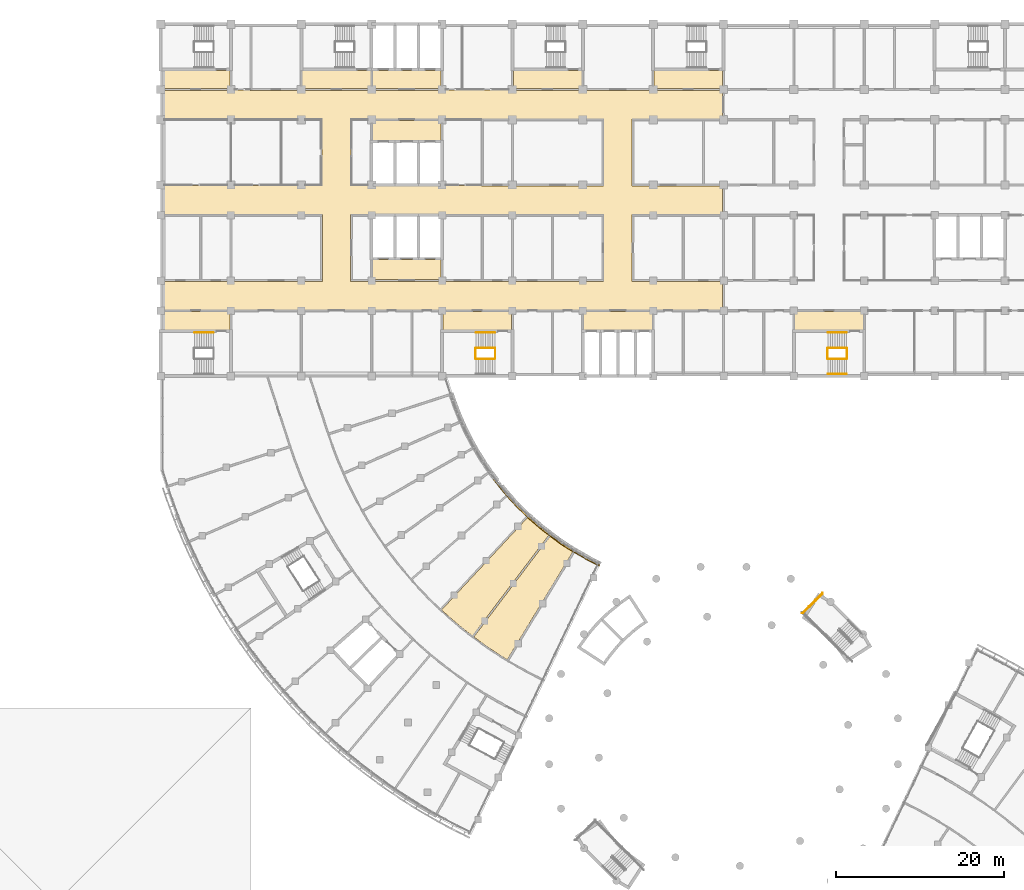
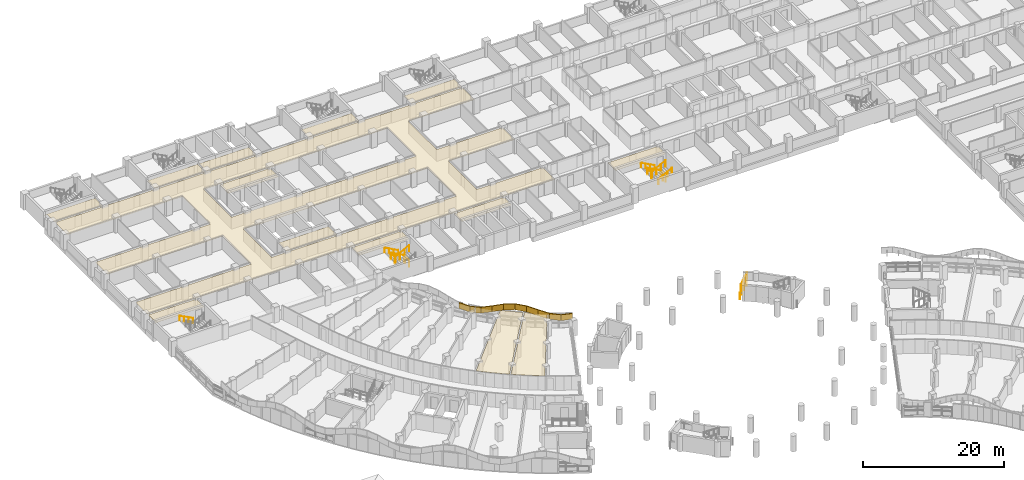
# One storey, part 84 of 89: 24 coverings, 14 railings.
"""IFC4 building model written with IfcOpenShell, lengths in metres."""

from ifc_helpers import new_model, si_unit, direction, frame, origin, origin_2d, place, context, subcontext, project, spatial, polyline, circle, outline, extrude, material, layer, layer_set, type_object, element, save


model = new_model("IFC4")

# Units and contexts
model_context = context("Model", 3, precision=1e-05, world=origin(), true_north=direction((0.0, 1.0)))
body_context = subcontext(model_context, "Body", "Model", "MODEL_VIEW")
ifc_project = project(units=[si_unit("LENGTHUNIT", "METRE"), si_unit("AREAUNIT", "SQUARE_METRE"), si_unit("VOLUMEUNIT", "CUBIC_METRE"), si_unit("PLANEANGLEUNIT", "RADIAN"), si_unit("MASSUNIT", "GRAM", prefix="KILO")], contexts=[model_context])

# Site, building, storey
site_placement = place(None, origin())
site = spatial("IfcSite", under=ifc_project, at=site_placement, CompositionType="ELEMENT")
building_placement = place(site_placement, origin())
building = spatial("IfcBuilding", under=site, at=building_placement, Name="Bougainvillea Quay General Hospital", CompositionType="ELEMENT")
storey_placement = place(building_placement, frame((0.0, 0.0, 9.89990234375)))
storey = spatial("IfcBuildingStorey", under=building, at=storey_placement, Name="L01M", CompositionType="ELEMENT", Elevation=9.89990234375)

# Coverings
ifc_material_1 = material(Name="Powder-coated aluminium fascia, green", Category="aluminium")
ifc_layer_1 = layer(ifc_material_1, 0.14990234375)
ifc_layer_set_1 = layer_set([ifc_layer_1], Name="Powder-coated aluminium fascia, green")
covering_type_1 = type_object("IfcCoveringType", Name="Aluminium wave fascia ribbon green 150x1000", PredefinedType="CLADDING", material=ifc_layer_set_1)
covering_1_placement = place(storey_placement, frame((94.427490234375, 95.04443359375, 1.5947265625), z_axis=(-0.104502360343, 0.053594362875, 0.993079503842), x_axis=(-0.88593533011, 0.448693483147, -0.117442535076)))
element("IfcCovering", 1, at=covering_1_placement, inside=storey, type_object=covering_type_1, Name="Fascia ribbon green a03 1", PredefinedType="CLADDING", context=body_context, shape_type="SweptSolid", body=[
    extrude(outline(polyline([(0.0, 0.0), (1.6416026862371067, -1.4695005195325406e-16), (1.645092801931551, 0.14981912538346862), (9.911938623631544e-05, 0.15001994119870982), (0.0, 0.0)])), origin(), (-0.117442535076, 0.000591611506, 0.993079503842), 1.0),
])
covering_2_placement = place(storey_placement, frame((92.97314453125, 95.781005859375, 1.402099609375), z_axis=(0.139641589892, -0.08015894732, 0.986952263049), x_axis=(-0.858116648831, 0.487556232841, 0.161011604603)))
element("IfcCovering", 2, at=covering_2_placement, inside=storey, type_object=covering_type_1, Name="Fascia ribbon green a03 2", PredefinedType="CLADDING", context=body_context, shape_type="SweptSolid", body=[
    extrude(outline(polyline([(0.0, 0.0), (1.65895963724899, 1.1785277614917433e-16), (1.662510601490443, 0.14997815966417433), (-0.003759064604347351, 0.14981422844783943), (0.0, 0.0)])), origin(), (0.161011604603, -0.000702599732, 0.986952263049), 1.0),
])
covering_3_placement = place(storey_placement, frame((91.549560546875, 96.58984375, 1.669921875), z_axis=(0.279700228176, -0.176865303091, 0.943655894339), x_axis=(-0.797248200477, 0.504858193092, 0.33092825764)))
element("IfcCovering", 3, at=covering_3_placement, inside=storey, type_object=covering_type_1, Name="Fascia ribbon green a03 3", PredefinedType="CLADDING", context=body_context, shape_type="SweptSolid", body=[
    extrude(outline(polyline([(0.0, 0.0), (1.7351032135458975, 9.009720053354542e-17), (1.7387723743826684, 0.1501463100564307), (-0.0038536322503129046, 0.14997486049893796), (0.0, 0.0)])), origin(), (0.33092825764, 0.000203407188, 0.943655894339), 1.0),
])
covering_4_placement = place(storey_placement, frame((90.166259765625, 97.4658203125, 2.245361328125), z_axis=(0.259839779475, -0.182352767703, 0.948277784783), x_axis=(-0.776147968626, 0.5448165645, 0.31744171409)))
element("IfcCovering", 4, at=covering_4_placement, inside=storey, type_object=covering_type_1, Name="Fascia ribbon green a03 4", PredefinedType="CLADDING", context=body_context, shape_type="SweptSolid", body=[
    extrude(outline(polyline([(0.0, 0.0), (1.7265896169281725, -1.2332799712022613e-16), (1.7304328381820913, 0.14991073223789447), (-0.003873738352750754, 0.1501411733915825), (0.0, 0.0)])), origin(), (0.31744171409, 3.2285748e-05, 0.948277784783), 1.0),
])
covering_5_placement = place(storey_placement, frame((88.826171875, 98.406494140625, 2.79443359375), z_axis=(0.097915956177, -0.076111990678, 0.992279915347), x_axis=(-0.783951037774, 0.608309306007, 0.12401838008)))
element("IfcCovering", 5, at=covering_5_placement, inside=storey, type_object=covering_type_1, Name="Fascia ribbon green a03 5", PredefinedType="CLADDING", context=body_context, shape_type="SweptSolid", body=[
    extrude(outline(polyline([(0.0, 0.0), (1.6499168841872014, -1.6519514163711169e-16), (1.6537376265687938, 0.15003351581608096), (-0.0035670666845775585, 0.14991337972866658), (0.0, 0.0)])), origin(), (0.12401838008, -0.00010488673, 0.992279915347), 1.0),
])
covering_6_placement = place(storey_placement, frame((87.53271484375, 99.41015625, 2.9990234375), z_axis=(-0.118628448003, 0.100424285516, 0.987847282834), x_axis=(-0.750673965561, 0.642130418383, -0.15542561956)))
element("IfcCovering", 6, at=covering_6_placement, inside=storey, type_object=covering_type_1, Name="Fascia ribbon green a03 6", PredefinedType="CLADDING", context=body_context, shape_type="SweptSolid", body=[
    extrude(outline(polyline([(0.0, 0.0), (1.657677699036154, 2.054563116860031e-17), (1.6611315249930405, 0.15003683184567615), (-0.003406435006366118, 0.15004347688130018), (0.0, 0.0)])), origin(), (-0.15542561956, -0.000789038302, 0.987847282834), 1.0),
])
covering_7_placement = place(storey_placement, frame((86.288330078125, 100.474609375, 2.740478515625), z_axis=(-0.239667918459, 0.22547529312, 0.944309367238), x_axis=(-0.687493100197, 0.647358816576, -0.329058960952)))
element("IfcCovering", 7, at=covering_7_placement, inside=storey, type_object=covering_type_1, Name="Fascia ribbon green a03 7", PredefinedType="CLADDING", context=body_context, shape_type="SweptSolid", body=[
    extrude(outline(polyline([(0.0, 0.0), (1.7337061979264043, 1.263773157303416e-16), (1.73755056102353, 0.14997667443102208), (-0.003970571708038053, 0.15002722892880735), (0.0, 0.0)])), origin(), (-0.329058960952, -0.00013843178, 0.944309367238), 1.0),
])
covering_8_placement = place(storey_placement, frame((85.096435546875, 101.596923828125, 2.168701171875), z_axis=(-0.222082696802, 0.230153697506, 0.94747482885), x_axis=(-0.657994844878, 0.681726731937, -0.319830341081)))
element("IfcCovering", 8, at=covering_8_placement, inside=storey, type_object=covering_type_1, Name="Fascia ribbon green a03 8", PredefinedType="CLADDING", context=body_context, shape_type="SweptSolid", body=[
    extrude(outline(polyline([(0.0, 0.0), (1.7282834687448214, 2.564138137928218e-17), (1.7320467746785793, 0.14993243745686766), (-0.003725576312105103, 0.1499796860800953), (0.0, 0.0)])), origin(), (-0.319830341081, 4.0235378e-05, 0.94747482885), 1.0),
])
covering_9_placement = place(storey_placement, frame((83.959228515625, 102.775146484375, 1.615234375), z_axis=(-0.085728802185, 0.09768849928, 0.991517790856), x_axis=(-0.653776896543, 0.745441681608, -0.12997103088)))
element("IfcCovering", 9, at=covering_9_placement, inside=storey, type_object=covering_type_1, Name="Fascia ribbon green a03 9", PredefinedType="CLADDING", context=body_context, shape_type="SweptSolid", body=[
    extrude(outline(polyline([(0.0, 0.0), (1.6513093094053481, -1.8167162652710234e-17), (1.6548456467540036, 0.14987752615922023), (-0.003627081145781563, 0.1499316208352482), (0.0, 0.0)])), origin(), (-0.12997103088, -3.9338576e-05, 0.991517790856), 1.0),
])
covering_10_placement = place(storey_placement, frame((82.879638671875, 104.006103515625, 1.400634765625), z_axis=(0.093271582619, -0.117168615552, 0.988722371248), x_axis=(-0.615706133298, 0.77361352434, 0.149760049338)))
element("IfcCovering", 10, at=covering_10_placement, inside=storey, type_object=covering_type_1, Name="Fascia ribbon green a03 10", PredefinedType="CLADDING", context=body_context, shape_type="SweptSolid", body=[
    extrude(outline(polyline([(0.0, 0.0), (1.65588261352319, -9.053088140253962e-18), (1.6595410382996767, 0.15000656172419505), (-0.003687905250327273, 0.14987386197364008), (0.0, 0.0)])), origin(), (0.149760049338, 1.4722526e-05, 0.988722371248), 1.0),
])

# Railings
ifc_material_2 = material(Name="Stainless steel 304 balustrade", Category="steel")
railing_type_1 = type_object("IfcRailingType", Name="Stair guard 1100", PredefinedType="GUARDRAIL", material=ifc_material_2)
railing_1_placement = place(storey_placement, frame((81.89990234375, 120.949951171875, 0.150146484375)))
element("IfcRailing", 11, at=railing_1_placement, inside=storey, type_object=railing_type_1, Name="L01M ST-B2 stair guard 1", PredefinedType="GUARDRAIL", context=body_context, shape_type="SweptSolid", body=[
    extrude(circle(Radius=0.02392578125, at=origin_2d()), frame((0.0, 0.0, 1.076171875), z_axis=(-0.881487111273, 0.0, 0.472208081951), x_axis=(0.0, -1.0, 0.0)), (0.0, 0.0, 1.0), 2.541259765625),
    extrude(circle(Radius=0.02099609375, at=origin_2d()), origin(), (0.0, 0.0, 1.0), 1.052001953125),
    extrude(circle(Radius=0.02099609375, at=origin_2d()), frame((-0.74658203125, 0.0, 0.39990234375)), (0.0, 0.0, 1.0), 1.052001953125),
    extrude(circle(Radius=0.02099609375, at=origin_2d()), frame((-1.493408203125, 0.0, 0.800048828125)), (0.0, 0.0, 1.0), 1.052001953125),
    extrude(circle(Radius=0.02099609375, at=origin_2d()), frame((-2.239990234375, 0.0, 1.199951171875)), (0.0, 0.0, 1.0), 1.052001953125),
])
railing_2_placement = place(storey_placement, frame((79.610107421875, 120.89990234375, 1.35009765625)))
element("IfcRailing", 12, at=railing_2_placement, inside=storey, type_object=railing_type_1, Name="L01M ST-B2 stair guard 2", PredefinedType="GUARDRAIL", context=body_context, shape_type="SweptSolid", body=[
    extrude(circle(Radius=0.02392578125, at=origin_2d()), frame((0.0, 0.0, 1.076171875), z_axis=(0.0, -1.0, 0.0), x_axis=(1.0, 0.0, 0.0)), (0.0, 0.0, 1.0), 1.199951171875),
    extrude(circle(Radius=0.02099609375, at=origin_2d()), origin(), (0.0, 0.0, 1.0), 1.052001953125),
    extrude(circle(Radius=0.02099609375, at=origin_2d()), frame((0.0, -1.199951171875, 0.0)), (0.0, 0.0, 1.0), 1.052001953125),
])
railing_3_placement = place(storey_placement, frame((79.659912109375, 119.64990234375, 1.5)))
element("IfcRailing", 13, at=railing_3_placement, inside=storey, type_object=railing_type_1, Name="L01M ST-B2 stair guard 3", PredefinedType="GUARDRAIL", context=body_context, shape_type="SweptSolid", body=[
    extrude(circle(Radius=0.02392578125, at=origin_2d()), frame((0.0, 0.0, 1.076171875), z_axis=(0.881447119201, 0.0, 0.472282728937), x_axis=(0.0, 1.0, 0.0)), (0.0, 0.0, 1.0), 2.541259765625),
    extrude(circle(Radius=0.02099609375, at=origin_2d()), origin(), (0.0, 0.0, 1.0), 1.052001953125),
    extrude(circle(Radius=0.02099609375, at=origin_2d()), frame((0.74658203125, 0.0, 0.400146484375)), (0.0, 0.0, 1.0), 1.052001953125),
    extrude(circle(Radius=0.02099609375, at=origin_2d()), frame((1.493408203125, 0.0, 0.800048828125)), (0.0, 0.0, 1.0), 1.052001953125),
    extrude(circle(Radius=0.02099609375, at=origin_2d()), frame((2.239990234375, 0.0, 1.2001953125)), (0.0, 0.0, 1.0), 1.052001953125),
])
railing_4_placement = place(storey_placement, frame((81.949951171875, 120.89990234375, 0.0)))
element("IfcRailing", 14, at=railing_4_placement, inside=storey, type_object=railing_type_1, Name="L01M ST-B2 stair guard 4", PredefinedType="GUARDRAIL", context=body_context, shape_type="SweptSolid", body=[
    extrude(circle(Radius=0.02392578125, at=origin_2d()), frame((0.0, 0.0, 1.076171875), z_axis=(0.0, -1.0, 0.0), x_axis=(1.0, 0.0, 0.0)), (0.0, 0.0, 1.0), 1.199951171875),
    extrude(circle(Radius=0.02099609375, at=origin_2d()), origin(), (0.0, 0.0, 1.0), 1.052001953125),
    extrude(circle(Radius=0.02099609375, at=origin_2d()), frame((0.0, -1.199951171875, 0.0)), (0.0, 0.0, 1.0), 1.052001953125),
])
railing_5_placement = place(storey_placement, frame((123.89990234375, 120.949951171875, 0.150146484375)))
element("IfcRailing", 15, at=railing_5_placement, inside=storey, type_object=railing_type_1, Name="L01M ST-B3 stair guard 1", PredefinedType="GUARDRAIL", context=body_context, shape_type="SweptSolid", body=[
    extrude(circle(Radius=0.02392578125, at=origin_2d()), frame((0.0, 0.0, 1.076171875), z_axis=(-0.881487111273, 0.0, 0.472208081951), x_axis=(0.0, -1.0, 0.0)), (0.0, 0.0, 1.0), 2.541259765625),
    extrude(circle(Radius=0.02099609375, at=origin_2d()), origin(), (0.0, 0.0, 1.0), 1.052001953125),
    extrude(circle(Radius=0.02099609375, at=origin_2d()), frame((-0.74658203125, 0.0, 0.39990234375)), (0.0, 0.0, 1.0), 1.052001953125),
    extrude(circle(Radius=0.02099609375, at=origin_2d()), frame((-1.493408203125, 0.0, 0.800048828125)), (0.0, 0.0, 1.0), 1.052001953125),
    extrude(circle(Radius=0.02099609375, at=origin_2d()), frame((-2.239990234375, 0.0, 1.199951171875)), (0.0, 0.0, 1.0), 1.052001953125),
])
railing_6_placement = place(storey_placement, frame((121.610107421875, 120.89990234375, 1.35009765625)))
element("IfcRailing", 16, at=railing_6_placement, inside=storey, type_object=railing_type_1, Name="L01M ST-B3 stair guard 2", PredefinedType="GUARDRAIL", context=body_context, shape_type="SweptSolid", body=[
    extrude(circle(Radius=0.02392578125, at=origin_2d()), frame((0.0, 0.0, 1.076171875), z_axis=(0.0, -1.0, 0.0), x_axis=(1.0, 0.0, 0.0)), (0.0, 0.0, 1.0), 1.199951171875),
    extrude(circle(Radius=0.02099609375, at=origin_2d()), origin(), (0.0, 0.0, 1.0), 1.052001953125),
    extrude(circle(Radius=0.02099609375, at=origin_2d()), frame((0.0, -1.199951171875, 0.0)), (0.0, 0.0, 1.0), 1.052001953125),
])
railing_7_placement = place(storey_placement, frame((121.659912109375, 119.64990234375, 1.5)))
element("IfcRailing", 17, at=railing_7_placement, inside=storey, type_object=railing_type_1, Name="L01M ST-B3 stair guard 3", PredefinedType="GUARDRAIL", context=body_context, shape_type="SweptSolid", body=[
    extrude(circle(Radius=0.02392578125, at=origin_2d()), frame((0.0, 0.0, 1.076171875), z_axis=(0.881447119201, 0.0, 0.472282728937), x_axis=(0.0, 1.0, 0.0)), (0.0, 0.0, 1.0), 2.541259765625),
    extrude(circle(Radius=0.02099609375, at=origin_2d()), origin(), (0.0, 0.0, 1.0), 1.052001953125),
    extrude(circle(Radius=0.02099609375, at=origin_2d()), frame((0.74658203125, 0.0, 0.400146484375)), (0.0, 0.0, 1.0), 1.052001953125),
    extrude(circle(Radius=0.02099609375, at=origin_2d()), frame((1.493408203125, 0.0, 0.800048828125)), (0.0, 0.0, 1.0), 1.052001953125),
    extrude(circle(Radius=0.02099609375, at=origin_2d()), frame((2.239990234375, 0.0, 1.2001953125)), (0.0, 0.0, 1.0), 1.052001953125),
])
railing_8_placement = place(storey_placement, frame((123.949951171875, 120.89990234375, 0.0)))
element("IfcRailing", 18, at=railing_8_placement, inside=storey, type_object=railing_type_1, Name="L01M ST-B3 stair guard 4", PredefinedType="GUARDRAIL", context=body_context, shape_type="SweptSolid", body=[
    extrude(circle(Radius=0.02392578125, at=origin_2d()), frame((0.0, 0.0, 1.076171875), z_axis=(0.0, -1.0, 0.0), x_axis=(1.0, 0.0, 0.0)), (0.0, 0.0, 1.0), 1.199951171875),
    extrude(circle(Radius=0.02099609375, at=origin_2d()), origin(), (0.0, 0.0, 1.0), 1.052001953125),
    extrude(circle(Radius=0.02099609375, at=origin_2d()), frame((0.0, -1.199951171875, 0.0)), (0.0, 0.0, 1.0), 1.052001953125),
])
railing_9_placement = place(storey_placement, frame((121.00048828125, 91.5693359375, 1.35009765625)))
element("IfcRailing", 19, at=railing_9_placement, inside=storey, type_object=railing_type_1, Name="L01M ST-H1 stair guard 4", PredefinedType="GUARDRAIL", context=body_context, shape_type="SweptSolid", body=[
    extrude(circle(Radius=0.02392578125, at=origin_2d()), frame((0.0, 0.0, 1.076171875), z_axis=(-0.707068940672, -0.707144619676, 0.0), x_axis=(0.707144619676, -0.707068940672, 0.0)), (0.0, 0.0, 1.0), 3.22607421875),
    extrude(circle(Radius=0.02099609375, at=origin_2d()), origin(), (0.0, 0.0, 1.0), 1.052001953125),
    extrude(circle(Radius=0.02099609375, at=origin_2d()), frame((-0.76025390625, -0.760498046875, 0.0)), (0.0, 0.0, 1.0), 1.052001953125),
    extrude(circle(Radius=0.02099609375, at=origin_2d()), frame((-1.520751953125, -1.520751953125, 0.0)), (0.0, 0.0, 1.0), 1.052001953125),
    extrude(circle(Radius=0.02099609375, at=origin_2d()), frame((-2.281005859375, -2.28125, 0.0)), (0.0, 0.0, 1.0), 1.052001953125),
])
railing_10_placement = place(storey_placement, frame((121.00048828125, 91.710693359375, 0.0)))
element("IfcRailing", 20, at=railing_10_placement, inside=storey, type_object=railing_type_1, Name="L01M ST-H1 stair guard 9", PredefinedType="GUARDRAIL", context=body_context, shape_type="SweptSolid", body=[
    extrude(circle(Radius=0.02392578125, at=origin_2d()), frame((0.0, 0.0, 1.076171875), z_axis=(-0.707071148806, -0.707142411772, 0.0), x_axis=(0.707142411772, -0.707071148806, 0.0)), (0.0, 0.0, 1.0), 3.426025390625),
    extrude(circle(Radius=0.02099609375, at=origin_2d()), origin(), (0.0, 0.0, 1.0), 1.052001953125),
    extrude(circle(Radius=0.02099609375, at=origin_2d()), frame((-0.807373046875, -0.8076171875, 0.0)), (0.0, 0.0, 1.0), 1.052001953125),
    extrude(circle(Radius=0.02099609375, at=origin_2d()), frame((-1.614990234375, -1.614990234375, 0.0)), (0.0, 0.0, 1.0), 1.052001953125),
    extrude(circle(Radius=0.02099609375, at=origin_2d()), frame((-2.42236328125, -2.422607421875, 0.0)), (0.0, 0.0, 1.0), 1.052001953125),
])
ifc_material_3 = material(Name="Stainless steel 304 handrail", Category="steel")
railing_type_2 = type_object("IfcRailingType", Name="Stair handrail 900", PredefinedType="HANDRAIL", material=ifc_material_3)
for number, where, name in (
    (21, (48.300048828125, 122.77490234375, 0.150146484375), "L01M ST-B1 stair handrail 1"),
    (22, (81.89990234375, 122.77490234375, 0.150146484375), "L01M ST-B2 stair handrail 1"),
    (23, (123.89990234375, 122.77490234375, 0.150146484375), "L01M ST-B3 stair handrail 1"),
):
    element("IfcRailing", number, at=place(storey_placement, frame(where)), inside=storey, type_object=railing_type_2, Name=name, PredefinedType="HANDRAIL", context=body_context, shape_type="SweptSolid", body=[
        extrude(circle(Radius=0.02392578125, at=origin_2d()), frame((0.0, 0.0, 0.8759765625), z_axis=(-0.881487111273, 0.0, 0.472208081951), x_axis=(0.0, -1.0, 0.0)), (0.0, 0.0, 1.0), 2.541259765625),
        extrude(circle(Radius=0.02099609375, at=origin_2d()), origin(), (0.0, 0.0, 1.0), 0.851806640625),
        extrude(circle(Radius=0.02099609375, at=origin_2d()), frame((-0.74658203125, 0.0, 0.39990234375)), (0.0, 0.0, 1.0), 0.851806640625),
        extrude(circle(Radius=0.02099609375, at=origin_2d()), frame((-1.493408203125, 0.0, 0.800048828125)), (0.0, 0.0, 1.0), 0.851806640625),
        extrude(circle(Radius=0.02099609375, at=origin_2d()), frame((-2.239990234375, 0.0, 1.199951171875)), (0.0, 0.0, 1.0), 0.851806640625),
    ])
railing_11_placement = place(storey_placement, frame((121.659912109375, 117.824951171875, 1.5)))
element("IfcRailing", 24, at=railing_11_placement, inside=storey, type_object=railing_type_2, Name="L01M ST-B3 stair handrail 2", PredefinedType="HANDRAIL", context=body_context, shape_type="SweptSolid", body=[
    extrude(circle(Radius=0.02392578125, at=origin_2d()), frame((0.0, 0.0, 0.8759765625), z_axis=(0.881447119201, 0.0, 0.472282728937), x_axis=(0.0, 1.0, 0.0)), (0.0, 0.0, 1.0), 2.541259765625),
    extrude(circle(Radius=0.02099609375, at=origin_2d()), origin(), (0.0, 0.0, 1.0), 0.851806640625),
    extrude(circle(Radius=0.02099609375, at=origin_2d()), frame((0.74658203125, 0.0, 0.400146484375)), (0.0, 0.0, 1.0), 0.851806640625),
    extrude(circle(Radius=0.02099609375, at=origin_2d()), frame((1.493408203125, 0.0, 0.800048828125)), (0.0, 0.0, 1.0), 0.851806640625),
    extrude(circle(Radius=0.02099609375, at=origin_2d()), frame((2.239990234375, 0.0, 1.2001953125)), (0.0, 0.0, 1.0), 0.851806640625),
])

# Coverings
ifc_material_4 = material(Name="Mineral fibre ceiling tile")
ifc_layer_2 = layer(ifc_material_4, 0.030029296875)
ifc_layer_set_2 = layer_set([ifc_layer_2], Name="Mineral fibre ceiling tile")
covering_type_2 = type_object("IfcCoveringType", Name="Suspended ceiling mineral fibre tile", PredefinedType="CEILING", material=ifc_layer_set_2)
covering_11_placement = place(storey_placement, frame((0.0, 0.0, 2.050048828125)))
element("IfcCovering", 25, at=covering_11_placement, inside=storey, type_object=covering_type_2, Name="Ceiling Corridor V4-5", PredefinedType="CEILING", context=body_context, shape_type="SweptSolid", body=[
    extrude(outline(polyline([(42.449951171875, 128.89990234375), (42.449951171875, 125.5), (109.10009765625, 125.5), (109.10009765625, 128.89990234375), (98.300048828125, 128.89990234375), (98.300048828125, 136.89990234375), (109.10009765625, 136.89990234375), (109.10009765625, 140.300048828125), (98.300048828125, 140.300048828125), (98.300048828125, 148.300048828125), (109.10009765625, 148.300048828125), (109.10009765625, 151.699951171875), (83.89990234375, 151.699951171875), (83.89990234375, 151.75), (75.699951171875, 151.75), (75.699951171875, 151.699951171875), (52.697998046875, 151.699951171875), (52.697998046875, 151.75), (50.5, 151.75), (50.5, 151.699951171875), (42.449951171875, 151.699951171875), (42.449951171875, 148.25), (61.25, 148.25), (61.25, 140.35009765625), (42.449951171875, 140.35009765625), (42.449951171875, 136.89990234375), (61.300048828125, 136.89990234375), (61.300048828125, 128.89990234375), (42.449951171875, 128.89990234375)]), holes=[polyline([(64.699951171875, 128.89990234375), (94.89990234375, 128.89990234375), (94.89990234375, 136.89990234375), (75.5, 136.89990234375), (75.5, 136.85009765625), (67.300048828125, 136.85009765625), (67.300048828125, 136.89990234375), (64.699951171875, 136.89990234375), (64.699951171875, 128.89990234375)]), polyline([(80.300048828125, 140.35009765625), (80.300048828125, 140.300048828125), (94.89990234375, 140.300048828125), (94.89990234375, 148.300048828125), (80.300048828125, 148.300048828125), (80.300048828125, 148.25), (75.699951171875, 148.25), (75.699951171875, 148.300048828125), (67.10009765625, 148.300048828125), (67.10009765625, 148.25), (64.75, 148.25), (64.75, 140.35009765625), (80.300048828125, 140.35009765625)])]), origin(), (0.0, 0.0, 1.0), 0.030029296875),
])
covering_12_placement = place(storey_placement, frame((0.0, 0.0, 2.050048828125)))
element("IfcCovering", 26, at=covering_12_placement, inside=storey, type_object=covering_type_2, Name="Ceiling Fire Lift Lobby LB-A1", PredefinedType="CEILING", context=body_context, shape_type="SweptSolid", body=[
    extrude(outline(polyline([(67.300048828125, 145.699951171875), (75.5, 145.699951171875), (75.5, 148.10009765625), (67.300048828125, 148.10009765625), (67.300048828125, 145.699951171875)])), origin(), (0.0, 0.0, 1.0), 0.030029296875),
])
covering_13_placement = place(storey_placement, frame((0.0, 0.0, 2.050048828125)))
element("IfcCovering", 27, at=covering_13_placement, inside=storey, type_object=covering_type_2, Name="Ceiling Fire Lift Lobby LB-B1", PredefinedType="CEILING", context=body_context, shape_type="SweptSolid", body=[
    extrude(outline(polyline([(75.5, 129.10009765625), (75.5, 131.5), (67.300048828125, 131.5), (67.300048828125, 129.10009765625), (75.5, 129.10009765625)])), origin(), (0.0, 0.0, 1.0), 0.030029296875),
])
covering_14_placement = place(storey_placement, frame((0.0, 0.0, 2.050048828125)))
element("IfcCovering", 28, at=covering_14_placement, inside=storey, type_object=covering_type_2, Name="Ceiling Lift Lobby LB-G1", PredefinedType="CEILING", context=body_context, shape_type="SweptSolid", body=[
    extrude(outline(polyline([(67.300048828125, 151.89990234375), (75.5, 151.89990234375), (75.5, 154.10009765625), (67.300048828125, 154.10009765625), (67.300048828125, 151.89990234375)])), origin(), (0.0, 0.0, 1.0), 0.030029296875),
])
covering_15_placement = place(storey_placement, frame((0.0, 0.0, 2.050048828125)))
element("IfcCovering", 29, at=covering_15_placement, inside=storey, type_object=covering_type_2, Name="Ceiling Lift Lobby LB-P1", PredefinedType="CEILING", context=body_context, shape_type="SweptSolid", body=[
    extrude(outline(polyline([(100.699951171875, 123.10009765625), (100.699951171875, 125.300048828125), (92.5, 125.300048828125), (92.5, 123.10009765625), (100.699951171875, 123.10009765625)])), origin(), (0.0, 0.0, 1.0), 0.030029296875),
])
covering_16_placement = place(storey_placement, frame((0.0, 0.0, 2.050048828125)))
element("IfcCovering", 30, at=covering_16_placement, inside=storey, type_object=covering_type_2, Name="Ceiling Smoke-proof Stair Vestibule ST-A1", PredefinedType="CEILING", context=body_context, shape_type="SweptSolid", body=[
    extrude(outline(polyline([(42.0, 154.10009765625), (42.0, 154.02490234375), (42.449951171875, 154.02490234375), (42.449951171875, 151.89990234375), (50.300048828125, 151.89990234375), (50.300048828125, 154.10009765625), (42.0, 154.10009765625)])), origin(), (0.0, 0.0, 1.0), 0.030029296875),
])
covering_17_placement = place(storey_placement, frame((0.0, 0.0, 2.050048828125)))
element("IfcCovering", 31, at=covering_17_placement, inside=storey, type_object=covering_type_2, Name="Ceiling Smoke-proof Stair Vestibule ST-A2", PredefinedType="CEILING", context=body_context, shape_type="SweptSolid", body=[
    extrude(outline(polyline([(92.300048828125, 154.10009765625), (84.10009765625, 154.10009765625), (84.10009765625, 151.89990234375), (92.300048828125, 151.89990234375), (92.300048828125, 154.10009765625)])), origin(), (0.0, 0.0, 1.0), 0.030029296875),
])
covering_18_placement = place(storey_placement, frame((0.0, 0.0, 2.050048828125)))
element("IfcCovering", 32, at=covering_18_placement, inside=storey, type_object=covering_type_2, Name="Ceiling Smoke-proof Stair Vestibule ST-A5", PredefinedType="CEILING", context=body_context, shape_type="SweptSolid", body=[
    extrude(outline(polyline([(109.10009765625, 154.10009765625), (100.89990234375, 154.10009765625), (100.89990234375, 151.89990234375), (109.10009765625, 151.89990234375), (109.10009765625, 154.10009765625)])), origin(), (0.0, 0.0, 1.0), 0.030029296875),
])
covering_19_placement = place(storey_placement, frame((0.0, 0.0, 2.050048828125)))
element("IfcCovering", 33, at=covering_19_placement, inside=storey, type_object=covering_type_2, Name="Ceiling Smoke-proof Stair Vestibule ST-B1", PredefinedType="CEILING", context=body_context, shape_type="SweptSolid", body=[
    extrude(outline(polyline([(42.449951171875, 125.300048828125), (42.449951171875, 123.175048828125), (42.0, 123.175048828125), (42.0, 123.10009765625), (50.300048828125, 123.10009765625), (50.300048828125, 125.300048828125), (42.449951171875, 125.300048828125)])), origin(), (0.0, 0.0, 1.0), 0.030029296875),
])
covering_20_placement = place(storey_placement, frame((0.0, 0.0, 2.050048828125)))
element("IfcCovering", 34, at=covering_20_placement, inside=storey, type_object=covering_type_2, Name="Ceiling Smoke-proof Stair Vestibule ST-B2", PredefinedType="CEILING", context=body_context, shape_type="SweptSolid", body=[
    extrude(outline(polyline([(83.89990234375, 123.10009765625), (83.89990234375, 125.300048828125), (75.699951171875, 125.300048828125), (75.699951171875, 123.10009765625), (83.89990234375, 123.10009765625)])), origin(), (0.0, 0.0, 1.0), 0.030029296875),
])
covering_21_placement = place(storey_placement, frame((0.0, 0.0, 2.050048828125)))
element("IfcCovering", 35, at=covering_21_placement, inside=storey, type_object=covering_type_2, Name="Ceiling Smoke-proof Stair Vestibule ST-B3", PredefinedType="CEILING", context=body_context, shape_type="SweptSolid", body=[
    extrude(outline(polyline([(125.89990234375, 125.300048828125), (117.699951171875, 125.300048828125), (117.699951171875, 123.10009765625), (125.89990234375, 123.10009765625), (125.89990234375, 125.300048828125)])), origin(), (0.0, 0.0, 1.0), 0.030029296875),
])
covering_22_placement = place(storey_placement, frame((0.0, 0.0, 2.050048828125)))
element("IfcCovering", 36, at=covering_22_placement, inside=storey, type_object=covering_type_2, Name="Ceiling Smoke-proof Stair Vestibule ST-D1", PredefinedType="CEILING", context=body_context, shape_type="SweptSolid", body=[
    extrude(outline(polyline([(58.89990234375, 154.10009765625), (58.89990234375, 151.89990234375), (67.10009765625, 151.89990234375), (67.10009765625, 154.10009765625), (58.89990234375, 154.10009765625)])), origin(), (0.0, 0.0, 1.0), 0.030029296875),
])
covering_23_placement = place(storey_placement, frame((0.0, 0.0, 2.3701171875)))
element("IfcCovering", 37, at=covering_23_placement, inside=storey, type_object=covering_type_2, Name="Ceiling Interstitial Service Space", PredefinedType="CEILING", context=body_context, shape_type="SweptSolid", body=[
    extrude(outline(polyline([(83.378173828125, 83.741943359375), (91.3935546875, 96.920166015625), (90.560302734375, 97.450439453125), (90.55859375, 97.447998046875), (90.47705078125, 97.50341796875), (90.39404296875, 97.556396484375), (90.3955078125, 97.558837890625), (89.545654296875, 98.135986328125), (89.54345703125, 98.13330078125), (89.46435546875, 98.19140625), (89.383056640625, 98.24658203125), (89.385009765625, 98.24951171875), (88.7001953125, 98.752197265625), (79.391845703125, 86.45556640625), (80.427734375, 85.69189453125), (81.443115234375, 84.986083984375), (82.4765625, 84.30517578125), (83.378173828125, 83.741943359375)])), origin(), (0.0, 0.0, 1.0), 0.030029296875),
])
covering_24_placement = place(storey_placement, frame((0.0, 0.0, 2.3701171875)))
element("IfcCovering", 38, at=covering_24_placement, inside=storey, type_object=covering_type_2, Name="Ceiling Interstitial Service Space", PredefinedType="CEILING", context=body_context, shape_type="SweptSolid", body=[
    extrude(outline(polyline([(77.489990234375, 87.960693359375), (78.44970703125, 87.1796875), (79.232177734375, 86.575927734375), (88.541259765625, 98.873291015625), (87.54541015625, 99.660888671875), (87.54296875, 99.657958984375), (87.468505859375, 99.7216796875), (87.3916015625, 99.78271484375), (87.393798828125, 99.78564453125), (86.686767578125, 100.389892578125), (86.684814453125, 100.3876953125), (86.61181640625, 100.453857421875), (86.537109375, 100.51806640625), (86.538818359375, 100.520263671875), (86.0458984375, 100.967529296875), (75.541259765625, 89.677734375), (76.549560546875, 88.765380859375), (77.489990234375, 87.960693359375)])), origin(), (0.0, 0.0, 1.0), 0.030029296875),
])

save(model, "model.ifc")
